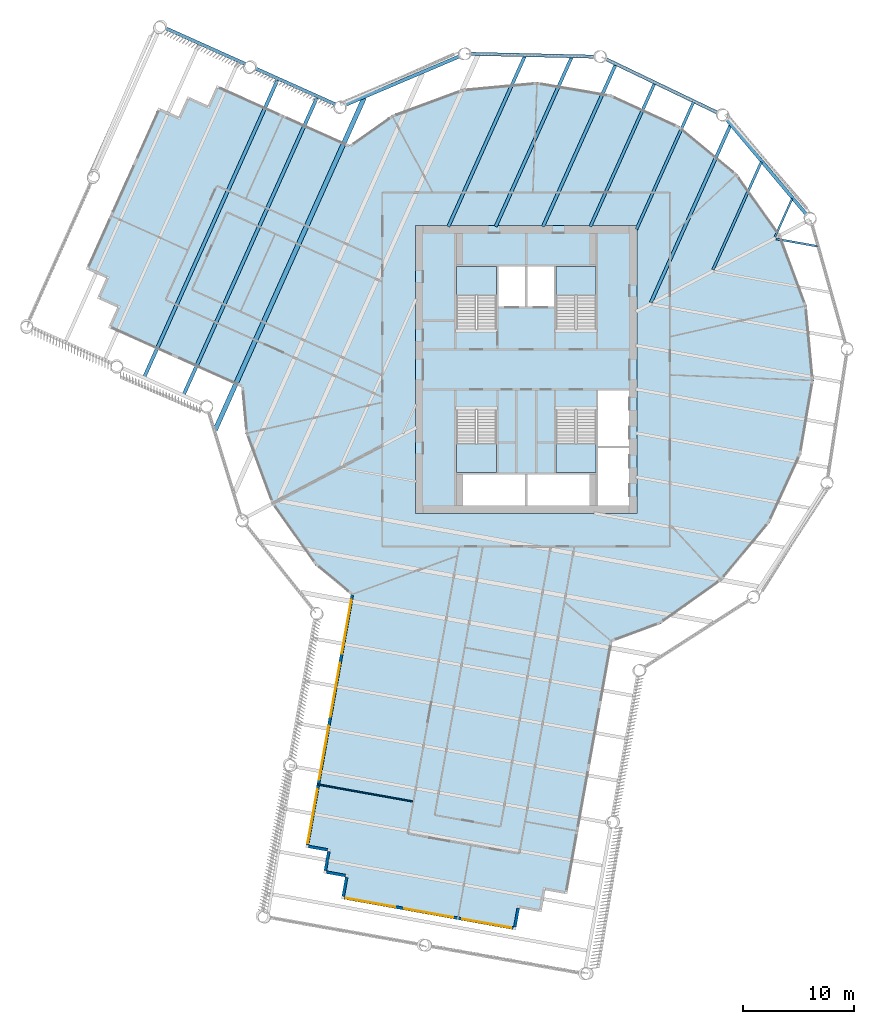
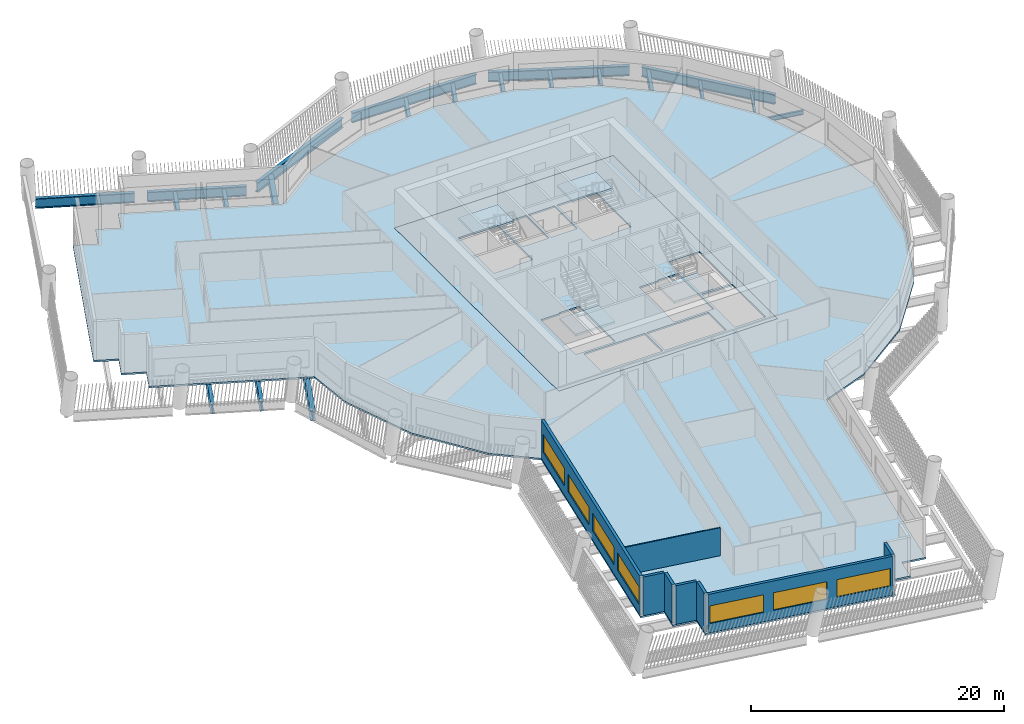
# One storey, part 2 of 14: 18 beams, 8 walls, 7 windows, 6 slabs, 7 openings, 4 elements without a shape of their own.
"""IFC4 building model written with IfcOpenShell, lengths in metres."""

from ifc_helpers import new_model, si_unit, direction, frame, frame_2d, origin, origin_2d, place, context, subcontext, project, spatial, polyline, rectangle, i_section, outline, extrude, material, layer, layer_set, material_profile, profile_set, type_object, element, fill, aggregate, save


model = new_model("IFC4")

# Units and contexts
model_context = context("Model", 3, precision=1e-05, world=origin(), true_north=direction((0.0, 1.0)))
body_context = subcontext(model_context, "Body", "Model", "MODEL_VIEW")
ifc_project = project(units=[si_unit("LENGTHUNIT", "METRE"), si_unit("AREAUNIT", "SQUARE_METRE"), si_unit("VOLUMEUNIT", "CUBIC_METRE"), si_unit("PLANEANGLEUNIT", "RADIAN"), si_unit("MASSUNIT", "GRAM", prefix="KILO")], contexts=[model_context])

# Site, building, storey
site_placement = place(None, origin())
site = spatial("IfcSite", under=ifc_project, at=site_placement, CompositionType="ELEMENT")
building_placement = place(site_placement, origin())
building = spatial("IfcBuilding", under=site, at=building_placement, Name="Tarsis Ring Headquarters", CompositionType="ELEMENT")
storey_placement = place(building_placement, frame((0.0, 0.0, 182.699951171875)))
storey = spatial("IfcBuildingStorey", under=building, at=storey_placement, Name="L42", CompositionType="ELEMENT", Elevation=182.699951171875)

# Beams
ifc_material_1 = material(Name="Structural steel S355", Category="steel")
ifc_material_profile_1 = material_profile(ifc_material_1, i_section(OverallWidth=0.177734375, OverallDepth=0.406494140625, WebThickness=0.0078125, FlangeThickness=0.0126953125, at=origin_2d()), Name="W16x40")
ifc_profile_set_1 = profile_set([ifc_material_profile_1], Name="Structural steel S355")
beam_type_1 = type_object("IfcBeamType", Name="FB Floor beam W16x40", PredefinedType="JOIST", material=ifc_profile_set_1)
beam_1_placement = place(storey_placement, frame((22.55517578125, 11.806396484375, -0.363037109375), z_axis=(0.984321516427, -0.176383537492, 0.0), x_axis=(0.176383537492, 0.984321516427, 0.0)))
element("IfcBeam", 1, at=beam_1_placement, inside=storey, type_object=beam_type_1, Name="Floor beam FB1", PredefinedType="JOIST", context=body_context, shape_type="SweptSolid", body=[
    extrude(i_section(OverallWidth=0.177734375, OverallDepth=0.406494140625, WebThickness=0.0078125, FlangeThickness=0.0126953125, at=origin_2d()), origin(), (0.0, 0.0, 1.0), 3.804931640625),
])
beam_2_placement = place(storey_placement, frame((24.025390625, 15.443603515625, -0.363037109375), z_axis=(-0.409326682761, -0.912387892719, 0.0), x_axis=(0.912387892719, -0.409326682761, 0.0)))
element("IfcBeam", 2, at=beam_2_placement, inside=storey, type_object=beam_type_1, Name="Floor beam FB1", PredefinedType="JOIST", context=body_context, shape_type="SweptSolid", body=[
    extrude(i_section(OverallWidth=0.177734375, OverallDepth=0.406494140625, WebThickness=0.0078125, FlangeThickness=0.0126953125, at=origin_2d()), origin(), (0.0, 0.0, 1.0), 3.805419921875),
])
ifc_material_profile_2 = material_profile(ifc_material_1, i_section(OverallWidth=0.228271484375, OverallDepth=0.607177734375, WebThickness=0.01123046875, FlangeThickness=0.017333984375, at=origin_2d()), Name="W24x76")
ifc_profile_set_2 = profile_set([ifc_material_profile_2], Name="Structural steel S355")
beam_type_2 = type_object("IfcBeamType", Name="FB Floor beam W24x76", PredefinedType="JOIST", material=ifc_profile_set_2)
beam_3_placement = place(storey_placement, frame((21.239501953125, 18.76220703125, -0.463623046875), z_axis=(-0.409282238401, -0.912407830594, 0.0), x_axis=(0.912407830594, -0.409282238401, 0.0)))
element("IfcBeam", 3, at=beam_3_placement, inside=storey, type_object=beam_type_2, Name="Floor beam FB4", PredefinedType="JOIST", context=body_context, shape_type="SweptSolid", body=[
    extrude(i_section(OverallWidth=0.228271484375, OverallDepth=0.607177734375, WebThickness=0.01123046875, FlangeThickness=0.017333984375, at=origin_2d()), origin(), (0.0, 0.0, 1.0), 10.6845703125),
])
ifc_material_profile_3 = material_profile(ifc_material_1, i_section(OverallWidth=0.2529296875, OverallDepth=0.67822265625, WebThickness=0.01171875, FlangeThickness=0.016357421875, at=origin_2d()), Name="W27x84")
ifc_profile_set_3 = profile_set([ifc_material_profile_3], Name="Structural steel S355")
beam_type_3 = type_object("IfcBeamType", Name="FB Floor beam W27x84", PredefinedType="JOIST", material=ifc_profile_set_3)
beam_4_placement = place(storey_placement, frame((15.120361328125, 24.17822265625, -0.4990234375), z_axis=(-0.409299371209, -0.912400145072, 0.0), x_axis=(0.912400145072, -0.409299371209, 0.0)))
element("IfcBeam", 4, at=beam_4_placement, inside=storey, type_object=beam_type_3, Name="Floor beam FB5", PredefinedType="JOIST", context=body_context, shape_type="SweptSolid", body=[
    extrude(i_section(OverallWidth=0.2529296875, OverallDepth=0.67822265625, WebThickness=0.01171875, FlangeThickness=0.016357421875, at=origin_2d()), origin(), (0.0, 0.0, 1.0), 12.6103515625),
])
ifc_material_profile_4 = material_profile(ifc_material_1, i_section(OverallWidth=0.2666015625, OverallDepth=0.7568359375, WebThickness=0.013916015625, FlangeThickness=0.019287109375, at=origin_2d()), Name="W30x108")
ifc_profile_set_4 = profile_set([ifc_material_profile_4], Name="Structural steel S355")
beam_type_4 = type_object("IfcBeamType", Name="FB Floor beam W30x108", PredefinedType="JOIST", material=ifc_profile_set_4)
beam_5_placement = place(storey_placement, frame((11.603271484375, 25.86669921875, -0.538330078125), z_axis=(-0.409289358543, -0.912404636652, 0.0), x_axis=(0.912404636652, -0.409289358543, 0.0)))
element("IfcBeam", 5, at=beam_5_placement, inside=storey, type_object=beam_type_4, Name="Floor beam FB6", PredefinedType="JOIST", context=body_context, shape_type="SweptSolid", body=[
    extrude(i_section(OverallWidth=0.2666015625, OverallDepth=0.7568359375, WebThickness=0.013916015625, FlangeThickness=0.019287109375, at=origin_2d()), origin(), (0.0, 0.0, 1.0), 14.2021484375),
])
ifc_material_profile_5 = material_profile(ifc_material_1, i_section(OverallWidth=0.2919921875, OverallDepth=0.835693359375, WebThickness=0.013916015625, FlangeThickness=0.018798828125, at=origin_2d()), Name="W33x118")
ifc_profile_set_5 = profile_set([ifc_material_profile_5], Name="Structural steel S355")
beam_type_5 = type_object("IfcBeamType", Name="FB Floor beam W33x118", PredefinedType="JOIST", material=ifc_profile_set_5)
beam_6_placement = place(storey_placement, frame((18.453857421875, 22.080810546875, -0.577880859375), z_axis=(-0.409290561538, -0.912404097007, 0.0), x_axis=(0.912404097007, -0.409290561538, 0.0)))
element("IfcBeam", 6, at=beam_6_placement, inside=storey, type_object=beam_type_5, Name="Floor beam FB7", PredefinedType="JOIST", context=body_context, shape_type="SweptSolid", body=[
    extrude(i_section(OverallWidth=0.2919921875, OverallDepth=0.835693359375, WebThickness=0.013916015625, FlangeThickness=0.018798828125, at=origin_2d()), origin(), (0.0, 0.0, 1.0), 17.564453125),
])
beam_7_placement = place(storey_placement, frame((8.08642578125, 27.555419921875, -0.577880859375), z_axis=(-0.409291260908, -0.91240378328, 0.0), x_axis=(0.91240378328, -0.409291260908, 0.0)))
element("IfcBeam", 7, at=beam_7_placement, inside=storey, type_object=beam_type_5, Name="Floor beam FB7", PredefinedType="JOIST", context=body_context, shape_type="SweptSolid", body=[
    extrude(i_section(OverallWidth=0.2919921875, OverallDepth=0.835693359375, WebThickness=0.013916015625, FlangeThickness=0.018798828125, at=origin_2d()), origin(), (0.0, 0.0, 1.0), 16.052978515625),
])
beam_8_placement = place(storey_placement, frame((4.121826171875, 28.246337890625, -0.577880859375), z_axis=(-0.40928524659, -0.912406481193, 0.0), x_axis=(0.912406481193, -0.40928524659, 0.0)))
element("IfcBeam", 8, at=beam_8_placement, inside=storey, type_object=beam_type_5, Name="Floor beam FB7", PredefinedType="JOIST", context=body_context, shape_type="SweptSolid", body=[
    extrude(i_section(OverallWidth=0.2919921875, OverallDepth=0.835693359375, WebThickness=0.013916015625, FlangeThickness=0.018798828125, at=origin_2d()), origin(), (0.0, 0.0, 1.0), 16.81005859375),
])
beam_9_placement = place(storey_placement, frame((-0.109375, 28.342529296875, -0.577880859375), z_axis=(-0.409288374939, -0.912405077879, 0.0), x_axis=(0.912405077879, -0.409288374939, 0.0)))
element("IfcBeam", 9, at=beam_9_placement, inside=storey, type_object=beam_type_5, Name="Floor beam FB7", PredefinedType="JOIST", context=body_context, shape_type="SweptSolid", body=[
    extrude(i_section(OverallWidth=0.2919921875, OverallDepth=0.835693359375, WebThickness=0.013916015625, FlangeThickness=0.018798828125, at=origin_2d()), origin(), (0.0, 0.0, 1.0), 16.91552734375),
])
ifc_material_profile_6 = material_profile(ifc_material_1, i_section(OverallWidth=0.309814453125, OverallDepth=0.949951171875, WebThickness=0.0244140625, FlangeThickness=0.0439453125, at=origin_2d()), Name="W36x256")
ifc_profile_set_6 = profile_set([ifc_material_profile_6], Name="Structural steel S355")
beam_type_6 = type_object("IfcBeamType", Name="FB Floor beam W36x256", PredefinedType="JOIST", material=ifc_profile_set_6)
for number, where, z_axis, x_axis, name in (
    (10, (-18.873779296875, 24.626953125, -0.635009765625), (-0.409283851486, -0.912407107005, 0.0), (0.912407107005, -0.409283851486, 0.0), "Floor beam FB11"),
    (11, (-22.43212890625, 26.22314453125, -0.635009765625), (-0.409283851486, -0.912407107005, 0.0), (0.912407107005, -0.409283851486, 0.0), "Floor beam FB11"),
):
    element("IfcBeam", number, at=place(storey_placement, frame(where, z_axis=z_axis, x_axis=x_axis)), inside=storey, type_object=beam_type_6, Name=name, PredefinedType="JOIST", context=body_context, shape_type="SweptSolid", body=[
        extrude(i_section(OverallWidth=0.309814453125, OverallDepth=0.949951171875, WebThickness=0.0244140625, FlangeThickness=0.0439453125, at=origin_2d()), origin(), (0.0, 0.0, 1.0), 29.489990234375),
    ])
ifc_material_profile_7 = material_profile(ifc_material_1, i_section(OverallWidth=0.42431640625, OverallDepth=0.947509765625, WebThickness=0.02392578125, FlangeThickness=0.042724609375, at=origin_2d()), Name="W36x302")
ifc_profile_set_7 = profile_set([ifc_material_profile_7], Name="Structural steel S355")
beam_type_7 = type_object("IfcBeamType", Name="FB Floor beam W36x302", PredefinedType="JOIST", material=ifc_profile_set_7)
beam_10_placement = place(storey_placement, frame((-14.64013671875, 24.5361328125, -0.633544921875), z_axis=(-0.409281487044, -0.912408167633, 0.0), x_axis=(0.912408167633, -0.409281487044, 0.0)))
element("IfcBeam", 12, at=beam_10_placement, inside=storey, type_object=beam_type_7, Name="Floor beam FB12", PredefinedType="JOIST", context=body_context, shape_type="SweptSolid", body=[
    extrude(i_section(OverallWidth=0.42431640625, OverallDepth=0.947509765625, WebThickness=0.02392578125, FlangeThickness=0.042724609375, at=origin_2d()), origin(), (0.0, 0.0, 1.0), 32.87548828125),
])
beam_type_8 = type_object("IfcBeamType", Name="XG Ring girder W36x256", PredefinedType="BEAM", material=ifc_profile_set_6)
beam_11_placement = place(storey_placement, frame((25.363037109375, 13.950927734375, -0.474853515625), z_axis=(-0.642944047247, 0.765913149195, 0.0), x_axis=(-0.765913149195, -0.642944047247, 0.0)))
element("IfcBeam", 13, at=beam_11_placement, inside=storey, type_object=beam_type_8, Name="Ring girder XG2", PredefinedType="BEAM", context=body_context, shape_type="SweptSolid", body=[
    extrude(i_section(OverallWidth=0.309814453125, OverallDepth=0.949951171875, WebThickness=0.0244140625, FlangeThickness=0.0439453125, at=origin_2d()), origin(), (0.0, 0.0, 1.0), 11.2431640625),
])
for number, where, z_axis, x_axis, name in (
    (14, (17.357666015625, 23.1650390625, -0.474853515625), (-0.901478323616, 0.432824250766, 0.0), (-0.432824250766, -0.901478323616, 0.0), "Ring girder XG2"),
    (15, (6.26611328125, 28.26025390625, -0.474853515625), (-0.999741016517, 0.022757414047, 0.0), (-0.022757414047, -0.999741016517, 0.0), "Ring girder XG2"),
):
    element("IfcBeam", number, at=place(storey_placement, frame(where, z_axis=z_axis, x_axis=x_axis)), inside=storey, type_object=beam_type_8, Name=name, PredefinedType="BEAM", context=body_context, shape_type="SweptSolid", body=[
        extrude(i_section(OverallWidth=0.309814453125, OverallDepth=0.949951171875, WebThickness=0.0244140625, FlangeThickness=0.0439453125, at=origin_2d()), origin(), (0.0, 0.0, 1.0), 11.242919921875),
    ])
beam_12_placement = place(storey_placement, frame((-5.939453125, 28.330810546875, -0.474853515625), z_axis=(-0.920237677572, -0.391359958066, 0.0), x_axis=(0.391359958066, -0.920237677572, 0.0)))
element("IfcBeam", 16, at=beam_12_placement, inside=storey, type_object=beam_type_8, Name="Ring girder XG2", PredefinedType="BEAM", context=body_context, shape_type="SweptSolid", body=[
    extrude(i_section(OverallWidth=0.309814453125, OverallDepth=0.949951171875, WebThickness=0.0244140625, FlangeThickness=0.0439453125, at=origin_2d()), origin(), (0.0, 0.0, 1.0), 11.2431640625),
])
beam_13_placement = place(storey_placement, frame((-17.20751953125, 23.939697265625, -0.474853515625), z_axis=(-0.912401047665, 0.409297359166, 0.0), x_axis=(-0.409297359166, -0.912401047665, 0.0)))
element("IfcBeam", 17, at=beam_13_placement, inside=storey, type_object=beam_type_8, Name="Ring girder XG2", PredefinedType="BEAM", context=body_context, shape_type="SweptSolid", body=[
    extrude(i_section(OverallWidth=0.309814453125, OverallDepth=0.949951171875, WebThickness=0.0244140625, FlangeThickness=0.0439453125, at=origin_2d()), origin(), (0.0, 0.0, 1.0), 7.896240234375),
])
beam_14_placement = place(storey_placement, frame((-25.329833984375, 27.583251953125, -0.474853515625), z_axis=(-0.912406227024, 0.4092858132, 0.0), x_axis=(-0.4092858132, -0.912406227024, 0.0)))
element("IfcBeam", 18, at=beam_14_placement, inside=storey, type_object=beam_type_8, Name="Ring girder XG2", PredefinedType="BEAM", context=body_context, shape_type="SweptSolid", body=[
    extrude(i_section(OverallWidth=0.309814453125, OverallDepth=0.949951171875, WebThickness=0.0244140625, FlangeThickness=0.0439453125, at=origin_2d()), origin(), (0.0, 0.0, 1.0), 7.896484375),
])

# Slab
ifc_material_2 = material(Name="Concrete C40/50", Category="concrete")
ifc_layer_1 = layer(ifc_material_2, 0.159912109375)
ifc_layer_set_1 = layer_set([ifc_layer_1], Name="Core floor slab 160 C40/50")
slab_type_1 = type_object("IfcSlabType", Name="Core floor slab 160 C40/50", PredefinedType="FLOOR", material=ifc_layer_set_1)
slab_1_placement = place(storey_placement, frame((0.0, 0.0, -0.159912109375)))
element("IfcSlab", 19, at=slab_1_placement, inside=storey, type_object=slab_type_1, Name="L42 core floor slab", PredefinedType="FLOOR", context=body_context, shape_type="SweptSolid", body=[
    extrude(outline(polyline([(-10.0, -13.0), (10.0, -13.0), (10.0, 13.0), (-10.0, 13.0), (-10.0, -13.0)]), holes=[polyline([(-2.5, 5.699951171875), (-0.10009765625, 5.699951171875), (-0.10009765625, 9.300048828125), (-2.5, 9.300048828125), (-2.5, 5.699951171875)]), polyline([(0.10009765625, 5.699951171875), (2.5, 5.699951171875), (2.5, 9.300048828125), (0.10009765625, 9.300048828125), (0.10009765625, 5.699951171875)]), polyline([(6.5, -12.300048828125), (9.300048828125, -12.300048828125), (9.300048828125, -7.10009765625), (6.5, -7.10009765625), (6.5, -12.300048828125)]), polyline([(6.5, -6.89990234375), (9.300048828125, -6.89990234375), (9.300048828125, -1.89990234375), (6.5, -1.89990234375), (6.5, -6.89990234375)]), polyline([(-5.699951171875, -12.300048828125), (-0.10009765625, -12.300048828125), (-0.10009765625, -9.5), (-5.699951171875, -9.5), (-5.699951171875, -12.300048828125)]), polyline([(0.10009765625, -12.300048828125), (5.699951171875, -12.300048828125), (5.699951171875, -9.5), (0.10009765625, -9.5), (0.10009765625, -12.300048828125)]), polyline([(-2.699951171875, 3.760009765625), (-2.699951171875, 9.300048828125), (-6.300048828125, 9.300048828125), (-6.300048828125, 3.659912109375), (-4.4599609375, 3.659912109375), (-4.4599609375, 3.760009765625), (-2.699951171875, 3.760009765625)]), polyline([(6.300048828125, 3.760009765625), (6.300048828125, 9.300048828125), (2.699951171875, 9.300048828125), (2.699951171875, 3.659912109375), (4.5400390625, 3.659912109375), (4.5400390625, 3.760009765625), (6.300048828125, 3.760009765625)]), polyline([(-6.300048828125, -3.760009765625), (-6.300048828125, -9.300048828125), (-2.699951171875, -9.300048828125), (-2.699951171875, -3.659912109375), (-4.5400390625, -3.659912109375), (-4.5400390625, -3.760009765625), (-6.300048828125, -3.760009765625)]), polyline([(2.699951171875, -3.760009765625), (2.699951171875, -9.300048828125), (6.300048828125, -9.300048828125), (6.300048828125, -3.659912109375), (4.4599609375, -3.659912109375), (4.4599609375, -3.760009765625), (2.699951171875, -3.760009765625)])]), origin(), (0.0, 0.0, 1.0), 0.159912109375),
])

# Stair, slab
ifc_material_3 = material(Name="Core stair 1760")
stair_type = type_object("IfcStairType", Name="Core stair 1760", PredefinedType="HALF_TURN_STAIR", material=ifc_material_3)
stair_1_placement = place(storey_placement, origin())
stair_1 = element("IfcStair", 20, at=stair_1_placement, inside=storey, type_object=stair_type, Name="L42 Firefighting stair", PredefinedType="HALF_TURN_STAIR")
ifc_layer_2 = layer(ifc_material_2, 0.199951171875)
ifc_layer_set_2 = layer_set([ifc_layer_2], Name="Core stair landing 200")
slab_type_2 = type_object("IfcSlabType", Name="Core stair landing 200", PredefinedType="LANDING", material=ifc_layer_set_2)
slab_2_placement = place(storey_placement, frame((0.0, 0.0, 1.75)))
slab_2 = element("IfcSlab", 21, at=slab_2_placement, type_object=slab_type_2, Name="Stair ST1 landing 1", PredefinedType="LANDING", context=body_context, shape_type="SweptSolid", body=[
    extrude(outline(polyline([(-2.699951171875, 6.739990234375), (-2.699951171875, 9.300048828125), (-6.300048828125, 9.300048828125), (-6.300048828125, 6.739990234375), (-2.699951171875, 6.739990234375)])), origin(), (0.0, 0.0, 1.0), 0.199951171875),
])
aggregate(stair_1, [slab_2])

stair_2_placement = place(storey_placement, origin())
stair_2 = element("IfcStair", 22, at=stair_2_placement, inside=storey, type_object=stair_type, Name="L42 Exit stair B", PredefinedType="HALF_TURN_STAIR")
slab_3_placement = place(storey_placement, frame((0.0, 0.0, 1.75)))
slab_3 = element("IfcSlab", 23, at=slab_3_placement, type_object=slab_type_2, Name="Stair ST2 landing 1", PredefinedType="LANDING", context=body_context, shape_type="SweptSolid", body=[
    extrude(outline(polyline([(6.300048828125, 6.739990234375), (6.300048828125, 9.300048828125), (2.699951171875, 9.300048828125), (2.699951171875, 6.739990234375), (6.300048828125, 6.739990234375)])), origin(), (0.0, 0.0, 1.0), 0.199951171875),
])
aggregate(stair_2, [slab_3])

stair_3_placement = place(storey_placement, origin())
stair_3 = element("IfcStair", 24, at=stair_3_placement, inside=storey, type_object=stair_type, Name="L42 Exit stair C", PredefinedType="HALF_TURN_STAIR")
slab_4_placement = place(storey_placement, frame((0.0, 0.0, 1.75)))
slab_4 = element("IfcSlab", 25, at=slab_4_placement, type_object=slab_type_2, Name="Stair ST3 landing 1", PredefinedType="LANDING", context=body_context, shape_type="SweptSolid", body=[
    extrude(outline(polyline([(-6.300048828125, -6.739990234375), (-6.300048828125, -9.300048828125), (-2.699951171875, -9.300048828125), (-2.699951171875, -6.739990234375), (-6.300048828125, -6.739990234375)])), origin(), (0.0, 0.0, 1.0), 0.199951171875),
])
aggregate(stair_3, [slab_4])

stair_4_placement = place(storey_placement, origin())
stair_4 = element("IfcStair", 26, at=stair_4_placement, inside=storey, type_object=stair_type, Name="L42 Exit stair D", PredefinedType="HALF_TURN_STAIR")
slab_5_placement = place(storey_placement, frame((0.0, 0.0, 1.75)))
slab_5 = element("IfcSlab", 27, at=slab_5_placement, type_object=slab_type_2, Name="Stair ST4 landing 1", PredefinedType="LANDING", context=body_context, shape_type="SweptSolid", body=[
    extrude(outline(polyline([(2.699951171875, -6.739990234375), (2.699951171875, -9.300048828125), (6.300048828125, -9.300048828125), (6.300048828125, -6.739990234375), (2.699951171875, -6.739990234375)])), origin(), (0.0, 0.0, 1.0), 0.199951171875),
])
aggregate(stair_4, [slab_5])

# Slab
ifc_material_4 = material(Name="Concrete C35/45", Category="concrete")
ifc_layer_3 = layer(ifc_material_4, 0.159912109375)
ifc_layer_set_3 = layer_set([ifc_layer_3], Name="FS Composite floor slab 160")
slab_type_3 = type_object("IfcSlabType", Name="FS Composite floor slab 160", PredefinedType="FLOOR", material=ifc_layer_set_3)
slab_6_placement = place(storey_placement, frame((0.0, 0.0, -0.159912109375)))
element("IfcSlab", 28, at=slab_6_placement, inside=storey, type_object=slab_type_3, Name="Floor slab L42", PredefinedType="FLOOR", context=body_context, shape_type="SweptSolid", body=[
    extrude(outline(polyline([(-25.73974609375, -1.605712890625), (-25.349853515625, -5.778076171875), (-22.99072265625, -12.14208984375), (-19.064697265625, -17.6787109375), (-15.838623046875, -20.353271484375), (-19.926025390625, -43.161865234375), (-17.95751953125, -43.5146484375), (-18.310302734375, -45.4833984375), (-16.341552734375, -45.836181640625), (-16.6943359375, -47.8046875), (-0.9453125, -50.627197265625), (-0.592529296875, -48.658447265625), (1.376220703125, -49.01123046875), (1.72900390625, -47.042724609375), (3.697509765625, -47.3955078125), (7.78125, -24.607177734375), (12.14208984375, -22.99072265625), (17.6787109375, -19.064697265625), (22.0107421875, -13.83935546875), (24.842529296875, -7.671142578125), (25.9814453125, -0.97998046875), (25.349853515625, 5.778076171875), (22.99072265625, 12.14208984375), (19.064697265625, 17.6787109375), (13.83935546875, 22.0107421875), (7.671142578125, 24.842529296875), (0.97998046875, 25.9814453125), (-5.778076171875, 25.349853515625), (-12.14208984375, 22.99072265625), (-15.935791015625, 20.300537109375), (-27.935302734375, 25.68310546875), (-28.753662109375, 23.8583984375), (-30.57861328125, 24.677001953125), (-31.397216796875, 22.85205078125), (-33.221923828125, 23.670654296875), (-39.7705078125, 9.072265625), (-37.94580078125, 8.253662109375), (-38.764404296875, 6.4287109375), (-36.939453125, 5.6103515625), (-37.758056640625, 3.785400390625), (-25.73974609375, -1.605712890625)]), holes=[polyline([(-10.0, -13.0), (-10.0, 13.0), (10.0, 13.0), (10.0, -13.0), (-10.0, -13.0)])]), origin(), (0.0, 0.0, 1.0), 0.159912109375),
])

# Wall
ifc_material_5 = material(Name="Gypsum board on steel studs", Category="steel")
ifc_layer_4 = layer(ifc_material_5, 0.10009765625)
ifc_layer_set_4 = layer_set([ifc_layer_4], Name="FL partition 100 unrated")
wall_type_1 = type_object("IfcWallType", Name="FL partition 100 unrated", PredefinedType="PARTITIONING", material=ifc_layer_set_4)
wall_1_placement = place(storey_placement, frame((-18.855712890625, -37.471435546875, 0.0), z_axis=(0.0, 0.0, 1.0), x_axis=(0.984318622756, -0.176399685076, 0.0)))
element("IfcWall", 29, at=wall_1_placement, inside=storey, type_object=wall_type_1, Name="Partition PW3", PredefinedType="PARTITIONING", context=body_context, shape_type="SweptSolid", body=[
    extrude(rectangle(XDim=8.739990234375, YDim=0.10009765625, at=frame_2d((4.3701171875, 0.0))), origin(), (0.0, 0.0, 1.0), 2.699951171875),
])

# Wall, openings, windows
ifc_material_6 = material(Name="Terracotta clad insulated panel wall", Category="masonry")
ifc_layer_5 = layer(ifc_material_6, 0.25)
ifc_layer_set_5 = layer_set([ifc_layer_5], Name="Facade wall terracotta panel 250")
wall_type_2 = type_object("IfcWallType", Name="Facade wall terracotta panel 250", PredefinedType="STANDARD", material=ifc_layer_set_5)
wall_2_placement = place(storey_placement, frame((-15.715576171875, -20.375244140625, 0.0), z_axis=(0.0, 0.0, 1.0), x_axis=(-0.17639921681, -0.984318706674, 0.0)))
wall_2 = element("IfcWall", 30, at=wall_2_placement, inside=storey, type_object=wall_type_2, Name="External wall L42-06", PredefinedType="STANDARD", context=body_context, shape_type="SweptSolid", body=[
    extrude(rectangle(XDim=22.922119140625, YDim=0.25, at=frame_2d((11.4609375, 0.0))), origin(), (0.0, 0.0, 1.0), 3.739990234375),
])
opening_1_placement = place(wall_2_placement, frame((0.42138671875, 0.0, 0.89990234375)))
opening_1 = element("IfcOpeningElement", 31, at=opening_1_placement, cuts=wall_2, Name="Opening WN05", PredefinedType="OPENING", context=body_context, shape_type="SweptSolid", body=[
    extrude(rectangle(XDim=4.949951171875, YDim=1.699951171875, at=frame_2d((2.47509765625, 0.85009765625))), frame((0.0, 0.135009765625, 0.0), z_axis=(0.0, -1.0, 0.0), x_axis=(1.0, 0.0, 0.0)), (0.0, 0.0, 1.0), 0.27001953125),
])
opening_2_placement = place(wall_2_placement, frame((6.214599609375, 0.0, 0.89990234375)))
opening_2 = element("IfcOpeningElement", 32, at=opening_2_placement, cuts=wall_2, Name="Opening WN05", PredefinedType="OPENING", context=body_context, shape_type="SweptSolid", body=[
    extrude(rectangle(XDim=4.949951171875, YDim=1.699951171875, at=frame_2d((2.47509765625, 0.85009765625))), frame((0.0, 0.135009765625, 0.0), z_axis=(0.0, -1.0, 0.0), x_axis=(1.0, 0.0, 0.0)), (0.0, 0.0, 1.0), 0.27001953125),
])
opening_3_placement = place(wall_2_placement, frame((12.007568359375, 0.0, 0.89990234375)))
opening_3 = element("IfcOpeningElement", 33, at=opening_3_placement, cuts=wall_2, Name="Opening WN05", PredefinedType="OPENING", context=body_context, shape_type="SweptSolid", body=[
    extrude(rectangle(XDim=4.949951171875, YDim=1.699951171875, at=frame_2d((2.47509765625, 0.85009765625))), frame((0.0, 0.135009765625, 0.0), z_axis=(0.0, -1.0, 0.0), x_axis=(1.0, 0.0, 0.0)), (0.0, 0.0, 1.0), 0.27001953125),
])
opening_4_placement = place(wall_2_placement, frame((17.800537109375, 0.0, 0.89990234375)))
opening_4 = element("IfcOpeningElement", 34, at=opening_4_placement, cuts=wall_2, Name="Opening WN05", PredefinedType="OPENING", context=body_context, shape_type="SweptSolid", body=[
    extrude(rectangle(XDim=4.949951171875, YDim=1.699951171875, at=frame_2d((2.47509765625, 0.85009765625))), frame((0.0, 0.135009765625, 0.0), z_axis=(0.0, -1.0, 0.0), x_axis=(1.0, 0.0, 0.0)), (0.0, 0.0, 1.0), 0.27001953125),
])
ifc_material_7 = material(Name="Aluminium framed double glazing", Category="aluminium")
window_type_1 = type_object("IfcWindowType", Name="Facade window 4950 x 1700", PartitioningType="SINGLE_PANEL", PredefinedType="WINDOW", material=ifc_material_7)
window_1_placement = place(opening_1_placement, origin())
window_1 = element("IfcWindow", 35, at=window_1_placement, inside=storey, type_object=window_type_1, Name="Window L42-06.1", OverallHeight=1.699951171875, OverallWidth=4.949951171875, PartitioningType="SINGLE_PANEL", PredefinedType="WINDOW", context=body_context, shape_type="SweptSolid", body=[
    extrude(rectangle(XDim=4.949951171875, YDim=1.699951171875, at=frame_2d((2.47509765625, 0.85009765625))), frame((0.0, 0.030029296875, 0.0), z_axis=(0.0, -1.0, 0.0), x_axis=(1.0, 0.0, 0.0)), (0.0, 0.0, 1.0), 0.06005859375),
])
fill(opening_1, window_1)
window_2_placement = place(opening_2_placement, origin())
window_2 = element("IfcWindow", 36, at=window_2_placement, inside=storey, type_object=window_type_1, Name="Window L42-06.2", OverallHeight=1.699951171875, OverallWidth=4.949951171875, PartitioningType="SINGLE_PANEL", PredefinedType="WINDOW", context=body_context, shape_type="SweptSolid", body=[
    extrude(rectangle(XDim=4.949951171875, YDim=1.699951171875, at=frame_2d((2.47509765625, 0.85009765625))), frame((0.0, 0.030029296875, 0.0), z_axis=(0.0, -1.0, 0.0), x_axis=(1.0, 0.0, 0.0)), (0.0, 0.0, 1.0), 0.06005859375),
])
fill(opening_2, window_2)
window_3_placement = place(opening_3_placement, origin())
window_3 = element("IfcWindow", 37, at=window_3_placement, inside=storey, type_object=window_type_1, Name="Window L42-06.3", OverallHeight=1.699951171875, OverallWidth=4.949951171875, PartitioningType="SINGLE_PANEL", PredefinedType="WINDOW", context=body_context, shape_type="SweptSolid", body=[
    extrude(rectangle(XDim=4.949951171875, YDim=1.699951171875, at=frame_2d((2.47509765625, 0.85009765625))), frame((0.0, 0.030029296875, 0.0), z_axis=(0.0, -1.0, 0.0), x_axis=(1.0, 0.0, 0.0)), (0.0, 0.0, 1.0), 0.06005859375),
])
fill(opening_3, window_3)
window_4_placement = place(opening_4_placement, origin())
window_4 = element("IfcWindow", 38, at=window_4_placement, inside=storey, type_object=window_type_1, Name="Window L42-06.4", OverallHeight=1.699951171875, OverallWidth=4.949951171875, PartitioningType="SINGLE_PANEL", PredefinedType="WINDOW", context=body_context, shape_type="SweptSolid", body=[
    extrude(rectangle(XDim=4.949951171875, YDim=1.699951171875, at=frame_2d((2.47509765625, 0.85009765625))), frame((0.0, 0.030029296875, 0.0), z_axis=(0.0, -1.0, 0.0), x_axis=(1.0, 0.0, 0.0)), (0.0, 0.0, 1.0), 0.06005859375),
])
fill(opening_4, window_4)

# Walls
for number, where, z_axis, x_axis, name in (
    (39, (-19.657958984375, -43.0830078125, 0.0), (0.0, 0.0, 1.0), (0.984326523056, -0.176355595343, 0.0), "External wall L42-07"),
    (40, (-17.83447265625, -43.536865234375, 0.0), (0.0, 0.0, 1.0), (-0.176355595343, -0.984326523056, 0.0), "External wall L42-08"),
):
    element("IfcWall", number, at=place(storey_placement, frame(where, z_axis=z_axis, x_axis=x_axis)), inside=storey, type_object=wall_type_2, Name=name, PredefinedType="STANDARD", context=body_context, shape_type="SweptSolid", body=[
        extrude(rectangle(XDim=1.749755859375, YDim=0.25, at=frame_2d((0.875, 0.0))), origin(), (0.0, 0.0, 1.0), 3.739990234375),
    ])
for number, where, z_axis, x_axis, name in (
    (41, (-18.042236328125, -45.404296875, 0.0), (0.0, 0.0, 1.0), (0.98430663953, -0.176466538975, 0.0), "External wall L42-09"),
    (42, (-16.218505859375, -45.858154296875, 0.0), (0.0, 0.0, 1.0), (-0.176466538975, -0.98430663953, 0.0), "External wall L42-10"),
):
    element("IfcWall", number, at=place(storey_placement, frame(where, z_axis=z_axis, x_axis=x_axis)), inside=storey, type_object=wall_type_2, Name=name, PredefinedType="STANDARD", context=body_context, shape_type="SweptSolid", body=[
        extrude(rectangle(XDim=1.75, YDim=0.25, at=frame_2d((0.875, 0.0))), origin(), (0.0, 0.0, 1.0), 3.739990234375),
    ])

# Wall, openings, windows
wall_3_placement = place(storey_placement, frame((-16.42626953125, -47.725830078125, 0.0), z_axis=(0.0, 0.0, 1.0), x_axis=(0.984319136394, -0.176396818928, 0.0)))
wall_3 = element("IfcWall", 43, at=wall_3_placement, inside=storey, type_object=wall_type_2, Name="External wall L42-11", PredefinedType="STANDARD", context=body_context, shape_type="SweptSolid", body=[
    extrude(rectangle(XDim=15.5, YDim=0.25, at=frame_2d((7.75, 0.0))), origin(), (0.0, 0.0, 1.0), 3.739990234375),
])
opening_5_placement = place(wall_3_placement, frame((0.166748046875, 0.0, 0.89990234375)))
opening_5 = element("IfcOpeningElement", 44, at=opening_5_placement, cuts=wall_3, Name="Opening WN04", PredefinedType="OPENING", context=body_context, shape_type="SweptSolid", body=[
    extrude(rectangle(XDim=4.5, YDim=1.699951171875, at=frame_2d((2.25, 0.85009765625))), frame((0.0, 0.135009765625, 0.0), z_axis=(0.0, -1.0, 0.0), x_axis=(1.0, 0.0, 0.0)), (0.0, 0.0, 1.0), 0.27001953125),
])
opening_6_placement = place(wall_3_placement, frame((5.5, 0.0, 0.89990234375)))
opening_6 = element("IfcOpeningElement", 45, at=opening_6_placement, cuts=wall_3, Name="Opening WN04", PredefinedType="OPENING", context=body_context, shape_type="SweptSolid", body=[
    extrude(rectangle(XDim=4.5, YDim=1.699951171875, at=frame_2d((2.25, 0.85009765625))), frame((0.0, 0.135009765625, 0.0), z_axis=(0.0, -1.0, 0.0), x_axis=(1.0, 0.0, 0.0)), (0.0, 0.0, 1.0), 0.27001953125),
])
opening_7_placement = place(wall_3_placement, frame((10.833251953125, 0.0, 0.89990234375)))
opening_7 = element("IfcOpeningElement", 46, at=opening_7_placement, cuts=wall_3, Name="Opening WN04", PredefinedType="OPENING", context=body_context, shape_type="SweptSolid", body=[
    extrude(rectangle(XDim=4.5, YDim=1.699951171875, at=frame_2d((2.25, 0.85009765625))), frame((0.0, 0.135009765625, 0.0), z_axis=(0.0, -1.0, 0.0), x_axis=(1.0, 0.0, 0.0)), (0.0, 0.0, 1.0), 0.27001953125),
])
window_type_2 = type_object("IfcWindowType", Name="Facade window 4500 x 1700", PartitioningType="SINGLE_PANEL", PredefinedType="WINDOW", material=ifc_material_7)
window_5_placement = place(opening_5_placement, origin())
window_5 = element("IfcWindow", 47, at=window_5_placement, inside=storey, type_object=window_type_2, Name="Window L42-11.1", OverallHeight=1.699951171875, OverallWidth=4.5, PartitioningType="SINGLE_PANEL", PredefinedType="WINDOW", context=body_context, shape_type="SweptSolid", body=[
    extrude(rectangle(XDim=4.5, YDim=1.699951171875, at=frame_2d((2.25, 0.85009765625))), frame((0.0, 0.030029296875, 0.0), z_axis=(0.0, -1.0, 0.0), x_axis=(1.0, 0.0, 0.0)), (0.0, 0.0, 1.0), 0.06005859375),
])
fill(opening_5, window_5)
window_6_placement = place(opening_6_placement, origin())
window_6 = element("IfcWindow", 48, at=window_6_placement, inside=storey, type_object=window_type_2, Name="Window L42-11.2", OverallHeight=1.699951171875, OverallWidth=4.5, PartitioningType="SINGLE_PANEL", PredefinedType="WINDOW", context=body_context, shape_type="SweptSolid", body=[
    extrude(rectangle(XDim=4.5, YDim=1.699951171875, at=frame_2d((2.25, 0.85009765625))), frame((0.0, 0.030029296875, 0.0), z_axis=(0.0, -1.0, 0.0), x_axis=(1.0, 0.0, 0.0)), (0.0, 0.0, 1.0), 0.06005859375),
])
fill(opening_6, window_6)
window_7_placement = place(opening_7_placement, origin())
window_7 = element("IfcWindow", 49, at=window_7_placement, inside=storey, type_object=window_type_2, Name="Window L42-11.3", OverallHeight=1.699951171875, OverallWidth=4.5, PartitioningType="SINGLE_PANEL", PredefinedType="WINDOW", context=body_context, shape_type="SweptSolid", body=[
    extrude(rectangle(XDim=4.5, YDim=1.699951171875, at=frame_2d((2.25, 0.85009765625))), frame((0.0, 0.030029296875, 0.0), z_axis=(0.0, -1.0, 0.0), x_axis=(1.0, 0.0, 0.0)), (0.0, 0.0, 1.0), 0.06005859375),
])
fill(opening_7, window_7)

# Wall
wall_4_placement = place(storey_placement, frame((-1.024169921875, -50.35888671875, 0.0), z_axis=(0.0, 0.0, 1.0), x_axis=(0.176355595343, 0.984326523056, 0.0)))
element("IfcWall", 50, at=wall_4_placement, inside=storey, type_object=wall_type_2, Name="External wall L42-12", PredefinedType="STANDARD", context=body_context, shape_type="SweptSolid", body=[
    extrude(rectangle(XDim=1.749755859375, YDim=0.25, at=frame_2d((0.875, 0.0))), origin(), (0.0, 0.0, 1.0), 3.739990234375),
])

save(model, "model.ifc")
